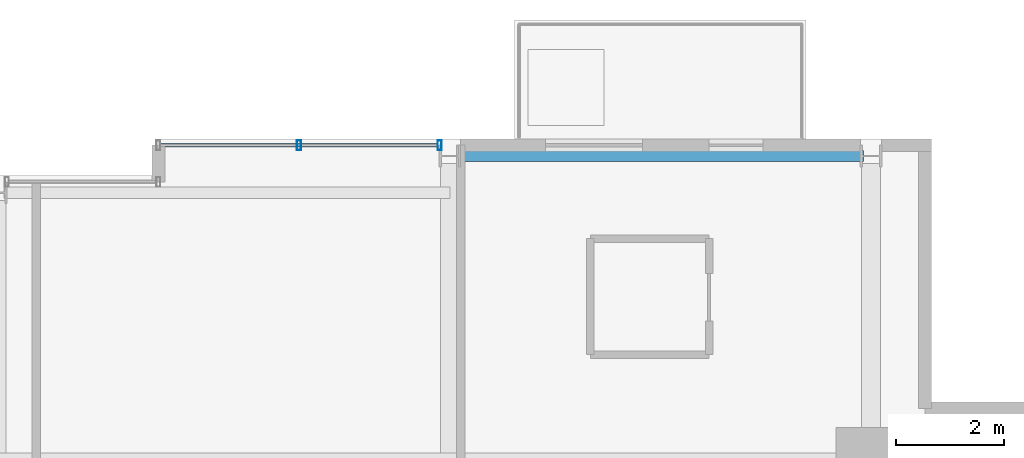
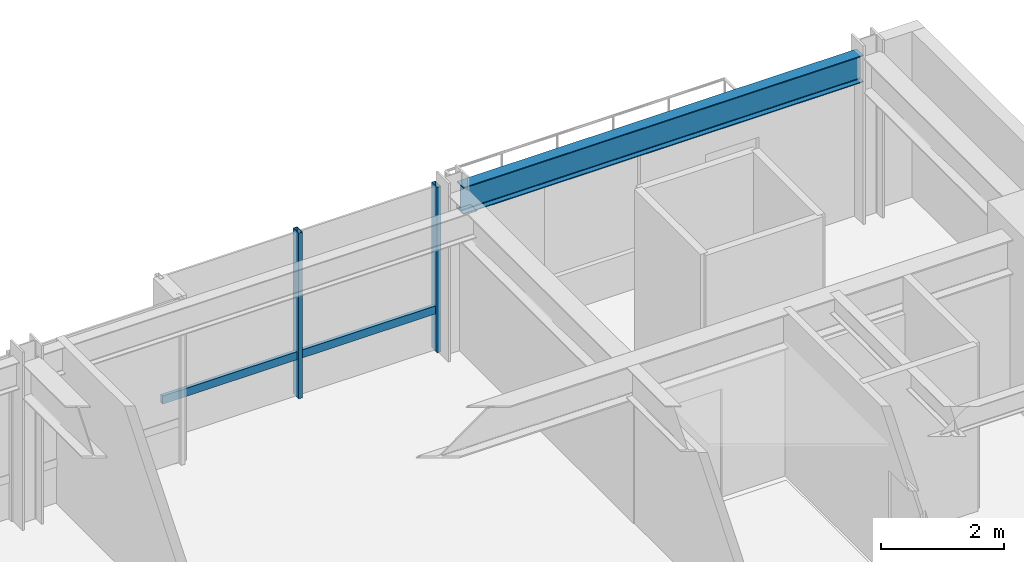
# One storey, part 25 of 33: 3 members, 1 beam, 1 element without a shape of its own.
"""IFC4 building model written with IfcOpenShell, lengths in metres."""

import ifcopenshell
import ifcopenshell.guid

model = None  # the IFC model being written
_history = None  # IfcOwnerHistory: only IFC2X3 demands one
_inside = {}  # id of a spatial element -> (the spatial element, [elements in it])
_under = {}  # id of a project, library or spatial element -> (it, [spatial elements below it])
_declared = {}  # id of a project -> (the project, [libraries it declares])
_typed = {}  # id of a type object -> (the type object, [elements of that type])
_made_of = {}  # id of a material, layer set ... -> (it, [elements and type objects made of it])


def new_model(schema):
    """Start an empty IFC model of exactly this schema.

    Asked for "IFC4X3", IfcOpenShell would pick the latest addendum, in which some entities
    have other attributes; the version numbers below select the first issue.
    IFC2X3 requires an IfcOwnerHistory on every rooted entity: one is made here for all.
    """
    global model, _history
    if schema == "IFC4X3":
        model = ifcopenshell.file(schema_version=(4, 3, 0, 0))
    else:
        model = ifcopenshell.file(schema=schema)
    _inside.clear()
    _under.clear()
    _declared.clear()
    _typed.clear()
    _made_of.clear()
    _history = None
    if model.schema == "IFC2X3":
        org = make("IfcOrganization", Name="unknown")
        user = make(
            "IfcPersonAndOrganization",
            ThePerson=make("IfcPerson", FamilyName="unknown"),
            TheOrganization=org,
        )
        app = make(
            "IfcApplication",
            ApplicationDeveloper=org,
            Version="unknown",
            ApplicationFullName="unknown",
            ApplicationIdentifier="unknown",
        )
        _history = make(
            "IfcOwnerHistory",
            OwningUser=user,
            OwningApplication=app,
            ChangeAction="ADDED",
            CreationDate=0,
        )
    return model


def make(cls, **values):
    """One entity of the class cls with the attributes given. An attribute that is None is left unset."""
    return model.create_entity(
        cls, **{name: value for name, value in values.items() if value is not None}
    )


def rooted(cls, **values):
    """An entity with a GlobalId (a new one), such as an element, a storey or a relation."""
    return make(cls, GlobalId=ifcopenshell.guid.new(), OwnerHistory=_history, **values)


def si_unit(unit_type, name, prefix=None):
    """IfcSIUnit, for example si_unit("LENGTHUNIT", "METRE", prefix="MILLI")."""
    return make("IfcSIUnit", UnitType=unit_type, Prefix=prefix, Name=name)


def assignment(units):
    """IfcUnitAssignment: the units of a project."""
    return None if units is None else make("IfcUnitAssignment", Units=units)


def point(xyz):
    """IfcCartesianPoint."""
    return None if xyz is None else make("IfcCartesianPoint", Coordinates=xyz)


def direction(xyz):
    """IfcDirection."""
    return None if xyz is None else make("IfcDirection", DirectionRatios=xyz)


def frame(location, z_axis=None, x_axis=None):
    """IfcAxis2Placement3D, a coordinate frame: its origin and axes. An axis left out is left unset."""
    return make(
        "IfcAxis2Placement3D",
        Location=point(location),
        Axis=direction(z_axis),
        RefDirection=direction(x_axis),
    )


def frame_2d(location, x_axis=None):
    """IfcAxis2Placement2D, a coordinate frame in the plane: its origin and x axis."""
    return make(
        "IfcAxis2Placement2D", Location=point(location), RefDirection=direction(x_axis)
    )


def origin():
    """The frame at (0, 0, 0) with its axes left unset."""
    return frame((0.0, 0.0, 0.0))


def origin_2d():
    """The frame at (0, 0) in the plane with its x axis left unset."""
    return frame_2d((0.0, 0.0))


def place(relative_to, where):
    """IfcLocalPlacement: puts the frame where relative to a parent placement (None: the world)."""
    return make(
        "IfcLocalPlacement", PlacementRelTo=relative_to, RelativePlacement=where
    )


def context(
    kind, dimensions, precision=None, world=None, true_north=None, identifier=None
):
    """IfcGeometricRepresentationContext, for example the 3D "Model" context."""
    return make(
        "IfcGeometricRepresentationContext",
        ContextIdentifier=identifier,
        ContextType=kind,
        CoordinateSpaceDimension=dimensions,
        Precision=precision,
        WorldCoordinateSystem=world,
        TrueNorth=true_north,
    )


def subcontext(parent, identifier, kind, view, scale=None):
    """IfcGeometricRepresentationSubContext, for example "Body" below "Model"."""
    return make(
        "IfcGeometricRepresentationSubContext",
        ContextIdentifier=identifier,
        ContextType=kind,
        ParentContext=parent,
        TargetScale=scale,
        TargetView=view,
    )


def project(units=None, contexts=None):
    """IfcProject with its units and contexts."""
    return rooted(
        "IfcProject",
        Name="project",
        RepresentationContexts=contexts,
        UnitsInContext=assignment(units),
    )


def spatial(cls, under=None, at=None, **own):
    """A site, building, storey or space (cls), placed at a placement, below another one or the project."""
    s = rooted(cls, ObjectPlacement=at, **own)
    if under is not None:
        _under.setdefault(under.id(), (under, []))[1].append(s)
    return s


def profile(cls, at=None, kind="AREA", **sizes):
    """A parametric profile (cls). Its sizes go by their IFC names, for example OverallWidth=200.0."""
    return make(cls, ProfileType=kind, Position=at, **sizes)


def hollow_rectangle(**sizes):
    """IfcRectangleHollowProfileDef."""
    return profile("IfcRectangleHollowProfileDef", **sizes)


def i_section(**sizes):
    """IfcIShapeProfileDef."""
    return profile("IfcIShapeProfileDef", **sizes)


def extrude(swept, where, along, depth):
    """IfcExtrudedAreaSolid: the profile swept, set in the frame where, extruded along a direction by depth."""
    return make(
        "IfcExtrudedAreaSolid",
        SweptArea=swept,
        Position=where,
        ExtrudedDirection=direction(along),
        Depth=depth,
    )


def shape(context_of_items, identifier, shape_type, items):
    """IfcShapeRepresentation: the items that make up one representation, for example the "Body"."""
    return make(
        "IfcShapeRepresentation",
        ContextOfItems=context_of_items,
        RepresentationIdentifier=identifier,
        RepresentationType=shape_type,
        Items=items,
    )


def material(Name=None, Category=None):
    """IfcMaterial."""
    return make("IfcMaterial", Name=Name, Category=Category)


def layer(
    of_material, thickness, ventilated=None, Name=None, Category=None, Priority=None
):
    """IfcMaterialLayer: one layer of a wall or slab, of a material (None: an air gap)."""
    return make(
        "IfcMaterialLayer",
        Material=of_material,
        LayerThickness=thickness,
        IsVentilated=ventilated,
        Name=Name,
        Category=Category,
        Priority=Priority,
    )


def layer_set(layers, Name=None):
    """IfcMaterialLayerSet."""
    return make("IfcMaterialLayerSet", MaterialLayers=layers, LayerSetName=Name)


def material_profile(
    of_material, cross_section, Name=None, Category=None, Priority=None
):
    """IfcMaterialProfile: a cross section and its material."""
    return make(
        "IfcMaterialProfile",
        Name=Name,
        Material=of_material,
        Profile=cross_section,
        Priority=Priority,
        Category=Category,
    )


def profile_set(profiles, Name=None, composite=None):
    """IfcMaterialProfileSet."""
    return make(
        "IfcMaterialProfileSet",
        Name=Name,
        MaterialProfiles=profiles,
        CompositeProfile=composite,
    )


def made_of(thing, what):
    """Note that an element or type object is made of a material, layer set ...; save() writes the relation."""
    if what is not None:
        _made_of.setdefault(what.id(), (what, []))[1].append(thing)
    return thing


def type_object(cls, material=None, **own):
    """A type object (cls), such as IfcWallType, which elements share."""
    return made_of(rooted(cls, **own), material)


def element(
    cls,
    number,
    at=None,
    inside=None,
    cuts=None,
    type_object=None,
    material=None,
    context=None,
    identifier="Body",
    shape_type=None,
    held_by="IfcProductDefinitionShape",
    body=None,
    shapes=None,
    **own,
):
    """One element of the class cls, such as IfcWall. Its Tag is "e" and its number.

    at: its placement. inside: the storey or other place that contains it. cuts: it is an
    opening in that element (IfcRelVoidsElement). A single representation is given by context,
    identifier, shape_type and body (its items); several are given by shapes. held_by: the class
    of the entity that holds the representations. save() writes the other relations.
    """
    e = rooted(cls, Tag="e%d" % number, ObjectPlacement=at, **own)
    if body is not None:
        shapes = [shape(context, identifier, shape_type, body)]
    if shapes is not None:
        e.Representation = make(held_by, Representations=shapes)
    if inside is not None:
        _inside.setdefault(inside.id(), (inside, []))[1].append(e)
    if cuts is not None:
        rooted(
            "IfcRelVoidsElement", RelatingBuildingElement=cuts, RelatedOpeningElement=e
        )
    if type_object is not None:
        _typed.setdefault(type_object.id(), (type_object, []))[1].append(e)
    return made_of(e, material)


def aggregate(whole, parts):
    """IfcRelAggregates: a whole, such as a stair, and the parts it consists of."""
    return rooted("IfcRelAggregates", RelatingObject=whole, RelatedObjects=parts)


def save(model, path):
    """Write the relations noted so far, then the file.

    IfcRelAggregates (storeys below a building ...), IfcRelContainedInSpatialStructure (elements
    in a storey), IfcRelDefinesByType, IfcRelAssociatesMaterial and IfcRelDeclares: one each for
    every whole, place, type object, material and project.
    """
    for whole, parts in _under.values():
        aggregate(whole, parts)
    for where, things in _inside.values():
        rooted(
            "IfcRelContainedInSpatialStructure",
            RelatedElements=things,
            RelatingStructure=where,
        )
    for kind, things in _typed.values():
        rooted("IfcRelDefinesByType", RelatedObjects=things, RelatingType=kind)
    for what, things in _made_of.values():
        rooted("IfcRelAssociatesMaterial", RelatedObjects=things, RelatingMaterial=what)
    for by, libraries in _declared.values():
        rooted("IfcRelDeclares", RelatingContext=by, RelatedDefinitions=libraries)
    model.write(path)


model = new_model("IFC4")

# Units and contexts
model_context = context("Model", 3, precision=1e-05, world=origin(), true_north=direction((0.0, 1.0)))
body_context = subcontext(model_context, "Body", "Model", "MODEL_VIEW")
ifc_project = project(units=[si_unit("LENGTHUNIT", "METRE"), si_unit("AREAUNIT", "SQUARE_METRE"), si_unit("VOLUMEUNIT", "CUBIC_METRE"), si_unit("PLANEANGLEUNIT", "RADIAN"), si_unit("MASSUNIT", "GRAM", prefix="KILO")], contexts=[model_context])

# Site, building, storey
site_placement = place(None, origin())
site = spatial("IfcSite", under=ifc_project, at=site_placement, CompositionType="ELEMENT")
building_placement = place(site_placement, origin())
building = spatial("IfcBuilding", under=site, at=building_placement, Name="Drelvath Grand Hotel", CompositionType="ELEMENT")
storey_placement = place(building_placement, frame((0.0, 0.0, 178.800048828125)))
storey = spatial("IfcBuildingStorey", under=building, at=storey_placement, Name="L46", CompositionType="ELEMENT", Elevation=178.800048828125)

# Curtain wall, members
ifc_material_1 = material(Name="Brushed Pale-Silver Anodised Aluminium Frame", Category="aluminium")
ifc_layer = layer(ifc_material_1, 0.199951171875)
ifc_layer_set = layer_set([ifc_layer], Name="Brushed Pale-Silver Anodised Aluminium Frame")
curtain_wall_type = type_object("IfcCurtainWallType", Name="Stick Curtain Wall CW-04 Brushed Silver Upper-Mid", PredefinedType="NOTDEFINED", material=ifc_layer_set)
curtain_wall_placement = place(storey_placement, origin())
curtain_wall = element("IfcCurtainWall", 1, at=curtain_wall_placement, inside=storey, type_object=curtain_wall_type, Name="L46 CW-04 Curtain Wall CW04-L46-NE1", PredefinedType="NOTDEFINED")
ifc_material_profile_1 = material_profile(ifc_material_1, hollow_rectangle(XDim=0.06494140625, YDim=0.159912109375, WallThickness=0.00390625, at=origin_2d()), Name="HSS160X65X4")
ifc_profile_set_1 = profile_set([ifc_material_profile_1], Name="Brushed Pale-Silver Anodised Aluminium Frame")
member_type_1 = type_object("IfcMemberType", Name="Curtain Wall Horizontal Transom CW-04 HSS160X65X4", PredefinedType="USERDEFINED", material=ifc_profile_set_1)
member_1_placement = place(storey_placement, frame((3.0400390625, 49.080078125, 0.822509765625), z_axis=(1.0, 0.0, 0.0), x_axis=(0.0, 1.0, 0.0)))
member_1 = element("IfcMember", 2, at=member_1_placement, type_object=member_type_1, Name="CW04-L46-NE1 Sill Transom", ObjectType="TRANSOM", PredefinedType="USERDEFINED", context=body_context, shape_type="SweptSolid", body=[
    extrude(hollow_rectangle(XDim=0.06494140625, YDim=0.159912109375, WallThickness=0.00390625, at=origin_2d()), origin(), (0.0, 0.0, 1.0), 5.128173828125),
])
ifc_material_profile_2 = material_profile(ifc_material_1, hollow_rectangle(XDim=0.074951171875, YDim=0.179931640625, WallThickness=0.0048828125, at=origin_2d()), Name="HSS180X75X5")
ifc_profile_set_2 = profile_set([ifc_material_profile_2], Name="Brushed Pale-Silver Anodised Aluminium Frame")
member_type_2 = type_object("IfcMemberType", Name="Curtain Wall Vertical Mullion CW-04 HSS180X75X5", PredefinedType="MULLION", material=ifc_profile_set_2)
member_2_placement = place(storey_placement, frame((5.60400390625, 49.080078125, 0.0), z_axis=(0.0, 0.0, 1.0), x_axis=(1.0, 0.0, 0.0)))
member_2 = element("IfcMember", 3, at=member_2_placement, type_object=member_type_2, Name="CW04-L46-NE1 Mullion 2", PredefinedType="MULLION", context=body_context, shape_type="SweptSolid", body=[
    extrude(hollow_rectangle(XDim=0.074951171875, YDim=0.179931640625, WallThickness=0.0048828125, at=origin_2d()), origin(), (0.0, 0.0, 1.0), 3.2900390625),
])
member_3_placement = place(storey_placement, frame((8.208251953125, 49.080078125, 0.0), z_axis=(0.0, 0.0, 1.0), x_axis=(1.0, 0.0, 0.0)))
member_3 = element("IfcMember", 4, at=member_3_placement, type_object=member_type_2, Name="CW04-L46-NE1 Mullion 3", PredefinedType="MULLION", context=body_context, shape_type="SweptSolid", body=[
    extrude(hollow_rectangle(XDim=0.074951171875, YDim=0.179931640625, WallThickness=0.0048828125, at=origin_2d()), origin(), (0.0, 0.0, 1.0), 3.2900390625),
])
aggregate(curtain_wall, [member_2, member_3, member_1])

# Beam
ifc_material_2 = material(Name="Steel ASTM A992 Gr 50", Category="steel")
ifc_material_profile_3 = material_profile(ifc_material_2, i_section(OverallWidth=0.210205078125, OverallDepth=0.53662109375, WebThickness=0.010986328125, FlangeThickness=0.017333984375, FilletRadius=0.01806640625, at=origin_2d()), Name="W21X68")
ifc_profile_set_3 = profile_set([ifc_material_profile_3], Name="Steel ASTM A992 Gr 50")
beam_type = type_object("IfcBeamType", Name="Perimeter Spandrel Beam W21X68", PredefinedType="SPANDREL", material=ifc_profile_set_3)
beam_placement = place(storey_placement, frame((8.5400390625, 48.8798828125, 3.021728515625), z_axis=(1.0, 0.0, 0.0), x_axis=(0.0, 1.0, 0.0)))
element("IfcBeam", 5, at=beam_placement, inside=storey, type_object=beam_type, Name="L46 Spandrel North E", PredefinedType="SPANDREL", context=body_context, shape_type="SweptSolid", body=[
    extrude(i_section(OverallWidth=0.210205078125, OverallDepth=0.53662109375, WebThickness=0.010986328125, FlangeThickness=0.017333984375, FilletRadius=0.01806640625, at=origin_2d()), origin(), (0.0, 0.0, 1.0), 7.52001953125),
])

save(model, "model.ifc")
